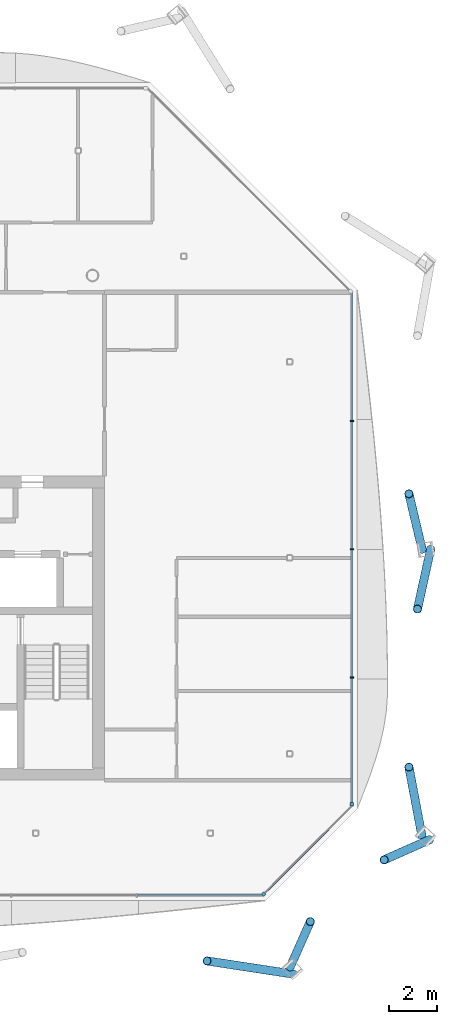
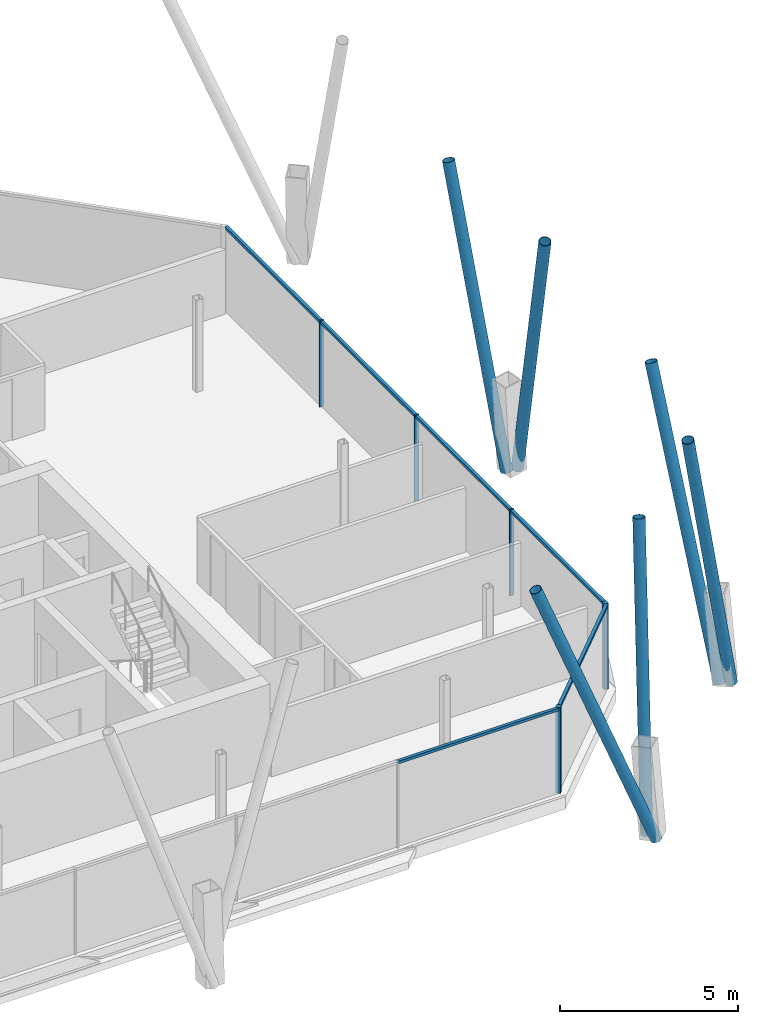
# One storey, part 6 of 17: 17 members, 3 elements without a shape of their own.
"""IFC4 building model written with IfcOpenShell, lengths in metres."""

from ifc_helpers import new_model, si_unit, direction, frame, origin, origin_2d, place, context, subcontext, project, spatial, rectangle, hollow_circle, extrude, material, material_profile, profile_set, type_object, element, aggregate, save


model = new_model("IFC4")

# Units and contexts
model_context = context("Model", 3, precision=1e-05, world=origin(), true_north=direction((0.0, 1.0)))
body_context = subcontext(model_context, "Body", "Model", "MODEL_VIEW")
ifc_project = project(units=[si_unit("LENGTHUNIT", "METRE"), si_unit("AREAUNIT", "SQUARE_METRE"), si_unit("VOLUMEUNIT", "CUBIC_METRE"), si_unit("PLANEANGLEUNIT", "RADIAN"), si_unit("MASSUNIT", "GRAM", prefix="KILO")], contexts=[model_context])

# Site, building, storey
site_placement = place(None, origin())
site = spatial("IfcSite", under=ifc_project, at=site_placement, CompositionType="ELEMENT")
building_placement = place(site_placement, origin())
building = spatial("IfcBuilding", under=site, at=building_placement, Name="Tskaro Facet Tower", CompositionType="ELEMENT")
storey_placement = place(building_placement, frame((0.0, 0.0, 259.5)))
storey = spatial("IfcBuildingStorey", under=building, at=storey_placement, Name="L68", CompositionType="ELEMENT", Elevation=259.5)

# Members
ifc_material_1 = material(Name="Steel S355J2H", Category="steel")
ifc_material_profile_1 = material_profile(ifc_material_1, hollow_circle(Radius=0.177734375, WallThickness=0.01611328125, at=origin_2d()), Name="CHS 355.6x16")
ifc_profile_set_1 = profile_set([ifc_material_profile_1], Name="Steel S355J2H")
member_type_1 = type_object("IfcMemberType", Name="CHS 355.6x16 brace", PredefinedType="BRACE", material=ifc_profile_set_1)
member_1_placement = place(storey_placement, frame((17.35498046875, -20.07080078125, 0.0), z_axis=(-0.354493620279, 0.054118217832, 0.933491023888), x_axis=(-0.150914953856, -0.988546749882, 0.0)))
element("IfcMember", 1, at=member_1_placement, inside=storey, type_object=member_type_1, Name="CHS 355.6x16 XB02B/6", PredefinedType="BRACE", context=body_context, shape_type="SweptSolid", body=[
    extrude(hollow_circle(Radius=0.177734375, WallThickness=0.01611328125, at=origin_2d()), origin(), (0.0, 0.0, 1.0), 10.123291015625),
])
for number, where, z_axis, x_axis, name in (
    (2, (17.229248046875, -19.767333984375, 0.0), (0.08650139801, 0.194861626099, 0.977008932823), (-0.913992098731, 0.40573198476, 0.0), "CHS 355.6x16 XB03A/6"),
    (3, (23.018798828125, -14.480712890625, 0.0), (-0.194861626099, -0.08650139801, 0.977008932823), (0.40573198476, -0.913992098731, 0.0), "CHS 355.6x16 XB03B/6"),
):
    element("IfcMember", number, at=place(storey_placement, frame(where, z_axis=z_axis, x_axis=x_axis)), inside=storey, type_object=member_type_1, Name=name, PredefinedType="BRACE", context=body_context, shape_type="SweptSolid", body=[
        extrude(hollow_circle(Radius=0.177734375, WallThickness=0.01611328125, at=origin_2d()), origin(), (0.0, 0.0, 1.0), 9.67236328125),
    ])
member_2_placement = place(storey_placement, frame((22.715087890625, -14.35498046875, 0.0), z_axis=(-0.055311633257, 0.293030823896, 0.954501733615), x_axis=(-0.982647721841, -0.185481683084, 0.0)))
element("IfcMember", 4, at=member_2_placement, inside=storey, type_object=member_type_1, Name="CHS 355.6x16 XB04A/6", PredefinedType="BRACE", context=body_context, shape_type="SweptSolid", body=[
    extrude(hollow_circle(Radius=0.177734375, WallThickness=0.01611328125, at=origin_2d()), origin(), (0.0, 0.0, 1.0), 9.900390625),
])
member_3_placement = place(storey_placement, frame((23.07080078125, -2.39208984375, 0.0), z_axis=(-0.05597197434, -0.254443008127, 0.965466671462), x_axis=(0.976648886415, -0.2148416921, 0.0)))
element("IfcMember", 5, at=member_3_placement, inside=storey, type_object=member_type_1, Name="CHS 355.6x16 XB04B/6", PredefinedType="BRACE", context=body_context, shape_type="SweptSolid", body=[
    extrude(hollow_circle(Radius=0.177734375, WallThickness=0.01611328125, at=origin_2d()), origin(), (0.0, 0.0, 1.0), 9.787841796875),
])
member_4_placement = place(storey_placement, frame((22.715087890625, -2.39208984375, 0.0), z_axis=(-0.056199727549, 0.237226491498, 0.969827398229), x_axis=(-0.97306694205, -0.23052272402, 0.0)))
element("IfcMember", 6, at=member_4_placement, inside=storey, type_object=member_type_1, Name="CHS 355.6x16 XB05A/6", PredefinedType="BRACE", context=body_context, shape_type="SweptSolid", body=[
    extrude(hollow_circle(Radius=0.177734375, WallThickness=0.01611328125, at=origin_2d()), origin(), (0.0, 0.0, 1.0), 9.743896484375),
])

# Curtain wall, member
ifc_material_2 = material(Name="Bronze anodised aluminium 6063-T6", Category="aluminium")
curtain_wall_type = type_object("IfcCurtainWallType", Name="Bronze residence curtain wall (FW3)", PredefinedType="NOTDEFINED", material=ifc_material_2)
curtain_wall_1_placement = place(storey_placement, origin())
curtain_wall_1 = element("IfcCurtainWall", 7, at=curtain_wall_1_placement, inside=storey, type_object=curtain_wall_type, Name="FW3 south-east facet L68", PredefinedType="NOTDEFINED")
ifc_material_profile_2 = material_profile(ifc_material_2, rectangle(XDim=0.139892578125, YDim=0.139892578125, at=origin_2d()), Name="Corner post 140x140")
ifc_profile_set_2 = profile_set([ifc_material_profile_2], Name="Bronze anodised aluminium 6063-T6")
member_type_2 = type_object("IfcMemberType", Name="FW3 bronze corner post 140x140", PredefinedType="MULLION", material=ifc_profile_set_2)
member_5_placement = place(storey_placement, frame((16.119384765625, -16.743408203125, 0.0), z_axis=(0.0, 0.0, 1.0), x_axis=(0.707106781187, 0.707106781187, 0.0)))
member_5 = element("IfcMember", 8, at=member_5_placement, type_object=member_type_2, Name="FW3 south-east corner post", PredefinedType="MULLION", context=body_context, shape_type="SweptSolid", body=[
    extrude(rectangle(XDim=0.139892578125, YDim=0.139892578125, at=origin_2d()), origin(), (0.0, 0.0, 1.0), 2.949951171875),
])

# Curtain wall, members
curtain_wall_2_placement = place(storey_placement, origin())
curtain_wall_2 = element("IfcCurtainWall", 9, at=curtain_wall_2_placement, inside=storey, type_object=curtain_wall_type, Name="FW3 east facet L68", PredefinedType="NOTDEFINED")
member_6_placement = place(storey_placement, frame((19.79296875, -13.0, 0.0), z_axis=(0.0, 0.0, 1.0), x_axis=(0.0, 1.0, 0.0)))
member_6 = element("IfcMember", 10, at=member_6_placement, type_object=member_type_2, Name="FW3 east corner post", PredefinedType="MULLION", context=body_context, shape_type="SweptSolid", body=[
    extrude(rectangle(XDim=0.139892578125, YDim=0.139892578125, at=origin_2d()), origin(), (0.0, 0.0, 1.0), 2.949951171875),
])
ifc_material_profile_3 = material_profile(ifc_material_2, rectangle(XDim=0.050048828125, YDim=0.139892578125, at=origin_2d()), Name="Mullion 50x140")
ifc_profile_set_3 = profile_set([ifc_material_profile_3], Name="Bronze anodised aluminium 6063-T6")
member_type_3 = type_object("IfcMemberType", Name="FW3 bronze mullion 50x140", PredefinedType="MULLION", material=ifc_profile_set_3)
member_7_placement = place(storey_placement, frame((19.79296875, -7.730712890625, 0.0), z_axis=(0.0, 0.0, 1.0), x_axis=(0.0, 1.0, 0.0)))
member_7 = element("IfcMember", 11, at=member_7_placement, type_object=member_type_3, Name="FW3 east mullion 1", PredefinedType="MULLION", context=body_context, shape_type="SweptSolid", body=[
    extrude(rectangle(XDim=0.050048828125, YDim=0.139892578125, at=origin_2d()), origin(), (0.0, 0.0, 1.0), 2.949951171875),
])
member_8_placement = place(storey_placement, frame((19.79296875, -2.3916015625, 0.0), z_axis=(0.0, 0.0, 1.0), x_axis=(0.0, 1.0, 0.0)))
member_8 = element("IfcMember", 12, at=member_8_placement, type_object=member_type_3, Name="FW3 east mullion 2", PredefinedType="MULLION", context=body_context, shape_type="SweptSolid", body=[
    extrude(rectangle(XDim=0.050048828125, YDim=0.139892578125, at=origin_2d()), origin(), (0.0, 0.0, 1.0), 2.949951171875),
])
member_9_placement = place(storey_placement, frame((19.79296875, 2.94775390625, 0.0), z_axis=(0.0, 0.0, 1.0), x_axis=(0.0, 1.0, 0.0)))
member_9 = element("IfcMember", 13, at=member_9_placement, type_object=member_type_3, Name="FW3 east mullion 3", PredefinedType="MULLION", context=body_context, shape_type="SweptSolid", body=[
    extrude(rectangle(XDim=0.050048828125, YDim=0.139892578125, at=origin_2d()), origin(), (0.0, 0.0, 1.0), 2.949951171875),
])

# Curtain wall, member
curtain_wall_3_placement = place(storey_placement, origin())
curtain_wall_3 = element("IfcCurtainWall", 14, at=curtain_wall_3_placement, inside=storey, type_object=curtain_wall_type, Name="FW3 south facet L68", PredefinedType="NOTDEFINED")
ifc_material_profile_4 = material_profile(ifc_material_2, rectangle(XDim=0.10009765625, YDim=0.090087890625, at=origin_2d()), Name="Transom 100x90")
ifc_profile_set_4 = profile_set([ifc_material_profile_4], Name="Bronze anodised aluminium 6063-T6")
member_type_4 = type_object("IfcMemberType", Name="FW3 bronze transom 100x90", PredefinedType="USERDEFINED", material=ifc_profile_set_4)
member_10_placement = place(storey_placement, frame((10.866943359375, -16.79296875, 2.905029296875), z_axis=(1.0, 0.0, 0.0), x_axis=(0.0, 1.0, 0.0)))
member_10 = element("IfcMember", 15, at=member_10_placement, type_object=member_type_4, Name="FW3 south transom 5.1", ObjectType="TRANSOM", PredefinedType="USERDEFINED", context=body_context, shape_type="SweptSolid", body=[
    extrude(rectangle(XDim=0.10009765625, YDim=0.090087890625, at=origin_2d()), origin(), (0.0, 0.0, 1.0), 5.203125),
])
aggregate(curtain_wall_3, [member_10])

# Member
member_11_placement = place(storey_placement, frame((16.1689453125, -16.694091796875, 2.905029296875), z_axis=(0.707106781187, 0.707106781187, 0.0), x_axis=(-0.707106781187, 0.707106781187, 0.0)))
member_11 = element("IfcMember", 16, at=member_11_placement, type_object=member_type_4, Name="FW3 south-east transom 1.1", ObjectType="TRANSOM", PredefinedType="USERDEFINED", context=body_context, shape_type="SweptSolid", body=[
    extrude(rectangle(XDim=0.10009765625, YDim=0.090087890625, at=origin_2d()), origin(), (0.0, 0.0, 1.0), 5.125244140625),
])

aggregate(curtain_wall_1, [member_5, member_11])

member_12_placement = place(storey_placement, frame((19.79296875, -12.929931640625, 2.905029296875), z_axis=(0.0, 1.0, 0.0), x_axis=(-1.0, 0.0, 0.0)))
member_12 = element("IfcMember", 17, at=member_12_placement, type_object=member_type_4, Name="FW3 east transom 1.1", ObjectType="TRANSOM", PredefinedType="USERDEFINED", context=body_context, shape_type="SweptSolid", body=[
    extrude(rectangle(XDim=0.10009765625, YDim=0.090087890625, at=origin_2d()), origin(), (0.0, 0.0, 1.0), 5.174072265625),
])

member_13_placement = place(storey_placement, frame((19.79296875, -7.705810546875, 2.905029296875), z_axis=(0.0, 1.0, 0.0), x_axis=(-1.0, 0.0, 0.0)))
member_13 = element("IfcMember", 18, at=member_13_placement, type_object=member_type_4, Name="FW3 east transom 2.1", ObjectType="TRANSOM", PredefinedType="USERDEFINED", context=body_context, shape_type="SweptSolid", body=[
    extrude(rectangle(XDim=0.10009765625, YDim=0.090087890625, at=origin_2d()), origin(), (0.0, 0.0, 1.0), 5.289306640625),
])

member_14_placement = place(storey_placement, frame((19.79296875, -2.366455078125, 2.905029296875), z_axis=(0.0, 1.0, 0.0), x_axis=(-1.0, 0.0, 0.0)))
member_14 = element("IfcMember", 19, at=member_14_placement, type_object=member_type_4, Name="FW3 east transom 3.1", ObjectType="TRANSOM", PredefinedType="USERDEFINED", context=body_context, shape_type="SweptSolid", body=[
    extrude(rectangle(XDim=0.10009765625, YDim=0.090087890625, at=origin_2d()), origin(), (0.0, 0.0, 1.0), 5.289306640625),
])

member_15_placement = place(storey_placement, frame((19.79296875, 2.97265625, 2.905029296875), z_axis=(0.0, 1.0, 0.0), x_axis=(-1.0, 0.0, 0.0)))
member_15 = element("IfcMember", 20, at=member_15_placement, type_object=member_type_4, Name="FW3 east transom 4.1", ObjectType="TRANSOM", PredefinedType="USERDEFINED", context=body_context, shape_type="SweptSolid", body=[
    extrude(rectangle(XDim=0.10009765625, YDim=0.090087890625, at=origin_2d()), origin(), (0.0, 0.0, 1.0), 5.314453125),
])

aggregate(curtain_wall_2, [member_6, member_7, member_8, member_9, member_12, member_13, member_14, member_15])

save(model, "model.ifc")
